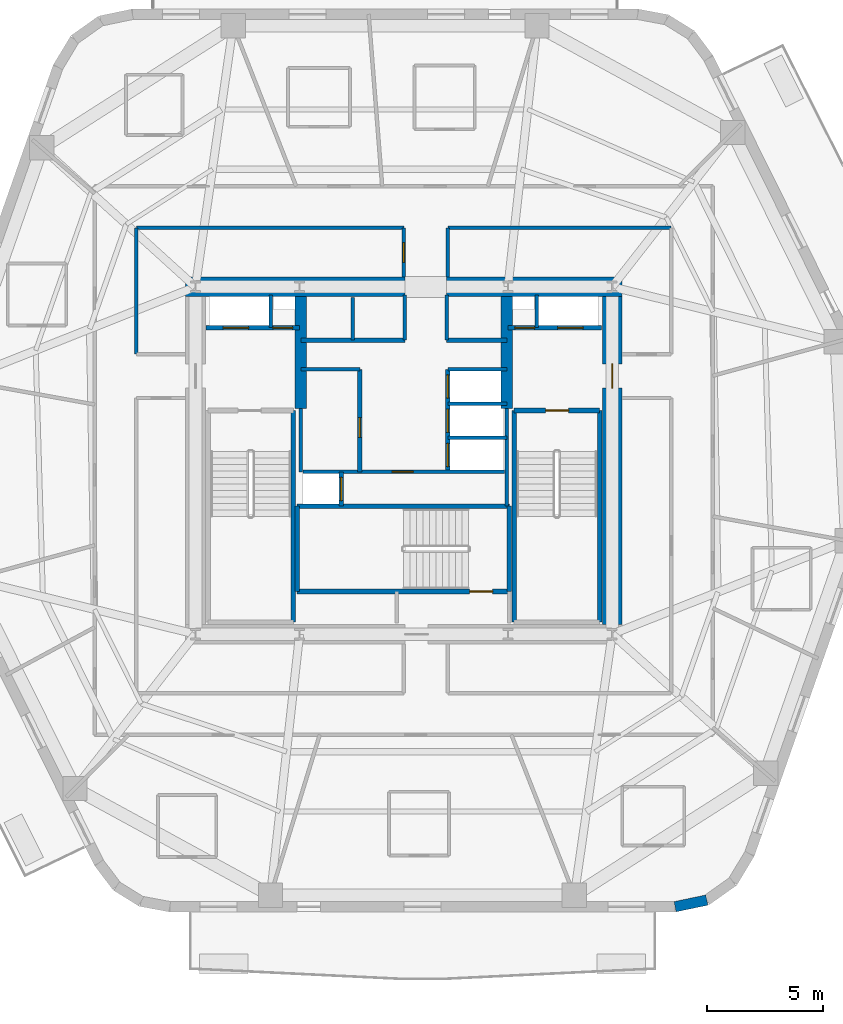
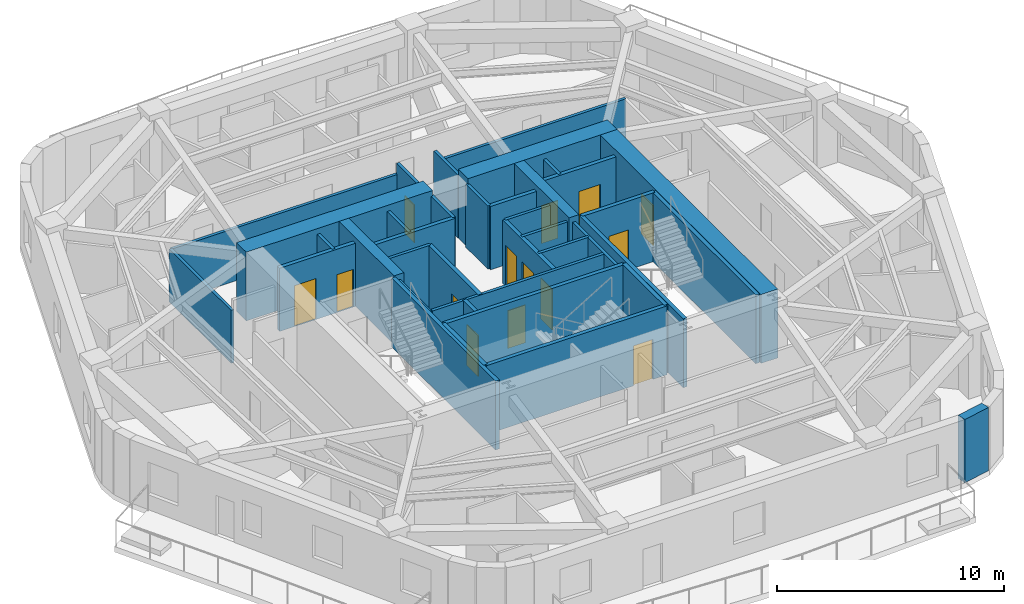
# One storey, part 4 of 10: 38 walls, 14 doors, 14 openings.
"""IFC4 building model written with IfcOpenShell, lengths in metres."""

from ifc_helpers import new_model, si_unit, direction, frame, frame_2d, origin, place, context, subcontext, project, spatial, rectangle, extrude, material, layer, layer_set, type_object, element, fill, save


model = new_model("IFC4")

# Units and contexts
model_context = context("Model", 3, precision=1e-05, world=origin(), true_north=direction((0.0, 1.0)))
body_context = subcontext(model_context, "Body", "Model", "MODEL_VIEW")
ifc_project = project(units=[si_unit("LENGTHUNIT", "METRE"), si_unit("AREAUNIT", "SQUARE_METRE"), si_unit("VOLUMEUNIT", "CUBIC_METRE"), si_unit("PLANEANGLEUNIT", "RADIAN"), si_unit("MASSUNIT", "GRAM", prefix="KILO")], contexts=[model_context])

# Site, building, storey
site_placement = place(None, origin())
site = spatial("IfcSite", under=ifc_project, at=site_placement, CompositionType="ELEMENT")
building_placement = place(site_placement, origin())
building = spatial("IfcBuilding", under=site, at=building_placement, Name="Kilnhurst Terrace Hotel", CompositionType="ELEMENT")
storey_placement = place(building_placement, frame((0.0, 0.0, 155.39990234375)))
storey = spatial("IfcBuildingStorey", under=building, at=storey_placement, Name="L38", CompositionType="ELEMENT", Elevation=155.39990234375)

# Walls
ifc_material_1 = material(Name="Precast concrete C40/50", Category="concrete")
ifc_layer_1 = layer(ifc_material_1, 0.449951171875, Name="Precast concrete C40/50")
ifc_layer_set_1 = layer_set([ifc_layer_1], Name="Precast concrete C40/50")
wall_type_1 = type_object("IfcWallType", Name="WL-BRK-450", PredefinedType="SOLIDWALL", material=ifc_layer_set_1)
wall_1_placement = place(storey_placement, frame((11.720458984375, -19.27490234375, 0.0), z_axis=(0.0, 0.0, 1.0), x_axis=(0.97893106758, 0.204191001093, 0.0)))
element("IfcWall", 1, at=wall_1_placement, inside=storey, type_object=wall_type_1, Name="L38 Rounded Corner Brick Wall C2.1", PredefinedType="SOLIDWALL", context=body_context, shape_type="SweptSolid", body=[
    extrude(rectangle(XDim=1.400146484375, YDim=0.449951171875, at=frame_2d((0.7001953125, 0.0))), origin(), (0.0, 0.0, 1.0), 3.400146484375),
])
ifc_material_2 = material(Name="Acoustic Double-Gypsum Corridor Partition Assembly")
ifc_layer_2 = layer(ifc_material_2, 0.14990234375, Name="Acoustic Double-Gypsum Corridor Partition Assembly")
ifc_layer_set_2 = layer_set([ifc_layer_2], Name="Acoustic Double-Gypsum Corridor Partition Assembly")
wall_type_2 = type_object("IfcWallType", Name="WL-COR-150", PredefinedType="PARTITIONING", material=ifc_layer_set_2)
wall_2_placement = place(storey_placement, frame((11.550048828125, 10.050048828125, 0.0), z_axis=(0.0, 0.0, 1.0), x_axis=(-1.0, 0.0, 0.0)))
element("IfcWall", 2, at=wall_2_placement, inside=storey, type_object=wall_type_2, Name="L38 Interior Wall WL-L38-COR-09", PredefinedType="PARTITIONING", context=body_context, shape_type="SweptSolid", body=[
    extrude(rectangle(XDim=9.650146484375, YDim=0.14990234375, at=frame_2d((4.8251953125, 0.0))), origin(), (0.0, 0.0, 1.0), 2.840087890625),
])
wall_3_placement = place(storey_placement, frame((1.89990234375, 10.050048828125, 0.0), z_axis=(0.0, 0.0, 1.0), x_axis=(0.0, -1.0, 0.0)))
element("IfcWall", 3, at=wall_3_placement, inside=storey, type_object=wall_type_2, Name="L38 Interior Wall WL-L38-COR-10", PredefinedType="PARTITIONING", context=body_context, shape_type="SweptSolid", body=[
    extrude(rectangle(XDim=2.125, YDim=0.14990234375, at=frame_2d((1.0625, 0.0))), origin(), (0.0, 0.0, 1.0), 3.400146484375),
])

# Wall, opening, door
wall_4_placement = place(storey_placement, frame((0.0, 7.925048828125, 0.0), z_axis=(0.0, 0.0, 1.0), x_axis=(0.0, 1.0, 0.0)))
wall_4 = element("IfcWall", 4, at=wall_4_placement, inside=storey, type_object=wall_type_2, Name="L38 Interior Wall WL-L38-COR-11", PredefinedType="PARTITIONING", context=body_context, shape_type="SweptSolid", body=[
    extrude(rectangle(XDim=2.125, YDim=0.14990234375, at=frame_2d((1.0625, 0.0))), origin(), (0.0, 0.0, 1.0), 3.400146484375),
])
opening_1_placement = place(wall_4_placement, frame((0.637939453125, 0.0, 0.0)))
opening_1 = element("IfcOpeningElement", 5, at=opening_1_placement, cuts=wall_4, Name="Opening D-60D", PredefinedType="OPENING", context=body_context, shape_type="SweptSolid", body=[
    extrude(rectangle(XDim=0.85009765625, YDim=2.030029296875, at=frame_2d((0.425048828125, 1.01513671875))), frame((0.0, 0.0849609375, 0.0), z_axis=(0.0, -1.0, 0.0), x_axis=(1.0, 0.0, 0.0)), (0.0, 0.0, 1.0), 0.169921875),
])
ifc_material_3 = material(Name="Painted Hollow Metal Steel ASTM A36 Riser Door", Category="steel")
door_type_1 = type_object("IfcDoorType", Name="DR-FD60-850", OperationType="NOTDEFINED", PredefinedType="DOOR", material=ifc_material_3)
door_1_placement = place(opening_1_placement, origin())
door_1 = element("IfcDoor", 6, at=door_1_placement, inside=storey, type_object=door_type_1, Name="L38 Floor Valet Equipment Store Door", OperationType="SINGLE_SWING_RIGHT", OverallHeight=2.030029296875, OverallWidth=0.85009765625, PredefinedType="DOOR", context=body_context, shape_type="SweptSolid", body=[
    extrude(rectangle(XDim=0.85009765625, YDim=2.030029296875, at=frame_2d((0.425048828125, 1.01513671875))), frame((0.0, 0.02490234375, 0.0), z_axis=(0.0, -1.0, 0.0), x_axis=(1.0, 0.0, 0.0)), (0.0, 0.0, 1.0), 0.050048828125),
])
fill(opening_1, door_1)

# Walls
wall_5_placement = place(storey_placement, frame((0.0, 10.050048828125, 0.0), z_axis=(0.0, 0.0, 1.0), x_axis=(-1.0, 0.0, 0.0)))
element("IfcWall", 7, at=wall_5_placement, inside=storey, type_object=wall_type_2, Name="L38 Interior Wall WL-L38-COR-12", PredefinedType="PARTITIONING", context=body_context, shape_type="SweptSolid", body=[
    extrude(rectangle(XDim=11.550048828125, YDim=0.14990234375, at=frame_2d((5.77490234375, 0.0))), origin(), (0.0, 0.0, 1.0), 2.840087890625),
])
wall_6_placement = place(storey_placement, frame((-11.550048828125, 10.050048828125, 0.0), z_axis=(0.0, 0.0, 1.0), x_axis=(0.0, -1.0, 0.0)))
element("IfcWall", 8, at=wall_6_placement, inside=storey, type_object=wall_type_2, Name="L38 Interior Wall WL-L38-COR-13", PredefinedType="PARTITIONING", context=body_context, shape_type="SweptSolid", body=[
    extrude(rectangle(XDim=5.449951171875, YDim=0.14990234375, at=frame_2d((2.72509765625, 0.0))), origin(), (0.0, 0.0, 1.0), 2.840087890625),
])
ifc_material_4 = material(Name="Concrete C80/95", Category="concrete")
ifc_layer_3 = layer(ifc_material_4, 0.85009765625, Name="Concrete C80/95")
ifc_layer_set_3 = layer_set([ifc_layer_3], Name="Concrete C80/95")
wall_type_3 = type_object("IfcWallType", Name="WL-CORE-850", PredefinedType="SHEAR", material=ifc_layer_set_3)
wall_7_placement = place(storey_placement, frame((-9.425048828125, 7.5, 0.0), z_axis=(0.0, 0.0, 1.0), x_axis=(1.0, 0.0, 0.0)))
element("IfcWall", 9, at=wall_7_placement, inside=storey, type_object=wall_type_3, Name="L38 Core North West Shear Wall", PredefinedType="SHEAR", context=body_context, shape_type="SweptSolid", body=[
    extrude(rectangle(XDim=9.47509765625, YDim=0.85009765625, at=frame_2d((4.737548828125, 0.0))), origin(), (0.0, 0.0, 1.0), 3.7001953125),
])
wall_8_placement = place(storey_placement, frame((1.85009765625, 7.5, 0.0), z_axis=(0.0, 0.0, 1.0), x_axis=(1.0, 0.0, 0.0)))
element("IfcWall", 10, at=wall_8_placement, inside=storey, type_object=wall_type_3, Name="L38 Core North East Shear Wall", PredefinedType="SHEAR", context=body_context, shape_type="SweptSolid", body=[
    extrude(rectangle(XDim=7.574951171875, YDim=0.85009765625, at=frame_2d((3.78759765625, 0.0))), origin(), (0.0, 0.0, 1.0), 3.7001953125),
])

# Wall, opening, door
wall_9_placement = place(storey_placement, frame((9.0, -7.074951171875, 0.0), z_axis=(0.0, 0.0, 1.0), x_axis=(0.0, 1.0, 0.0)))
wall_9 = element("IfcWall", 11, at=wall_9_placement, inside=storey, type_object=wall_type_3, Name="L38 Core East Shear Wall", PredefinedType="SHEAR", context=body_context, shape_type="SweptSolid", body=[
    extrude(rectangle(XDim=14.14990234375, YDim=0.85009765625, at=frame_2d((7.074951171875, 0.0))), origin(), (0.0, 0.0, 1.0), 3.7001953125),
])
opening_2_placement = place(wall_9_placement, frame((10.199951171875, 0.0, 0.0)))
opening_2 = element("IfcOpeningElement", 12, at=opening_2_placement, cuts=wall_9, Name="Opening D-90A", PredefinedType="OPENING", context=body_context, shape_type="SweptSolid", body=[
    extrude(rectangle(XDim=1.050048828125, YDim=2.14990234375, at=frame_2d((0.52490234375, 1.074951171875))), frame((0.0, 0.43505859375, 0.0), z_axis=(0.0, -1.0, 0.0), x_axis=(1.0, 0.0, 0.0)), (0.0, 0.0, 1.0), 0.8701171875),
])
ifc_material_5 = material(Name="Painted Hollow Metal Steel ASTM A36 Fire Door", Category="steel")
door_type_2 = type_object("IfcDoorType", Name="DR-FD90-1050", OperationType="NOTDEFINED", PredefinedType="DOOR", material=ifc_material_5)
door_2_placement = place(opening_2_placement, origin())
door_2 = element("IfcDoor", 13, at=door_2_placement, inside=storey, type_object=door_type_2, Name="L38 East Firefighting Lobby Door", OperationType="SINGLE_SWING_LEFT", OverallHeight=2.14990234375, OverallWidth=1.050048828125, PredefinedType="DOOR", context=body_context, shape_type="SweptSolid", body=[
    extrude(rectangle(XDim=1.050048828125, YDim=2.14990234375, at=frame_2d((0.52490234375, 1.074951171875))), frame((0.0, 0.02490234375, 0.0), z_axis=(0.0, -1.0, 0.0), x_axis=(1.0, 0.0, 0.0)), (0.0, 0.0, 1.0), 0.050048828125),
])
fill(opening_2, door_2)

# Walls
ifc_material_6 = material(Name="Concrete C60/75", Category="concrete")
ifc_layer_4 = layer(ifc_material_6, 0.5, Name="Concrete C60/75")
ifc_layer_set_4 = layer_set([ifc_layer_4], Name="Concrete C60/75")
wall_type_4 = type_object("IfcWallType", Name="WL-CORE-WEB-500", PredefinedType="SHEAR", material=ifc_layer_set_4)
for number, where, z_axis, x_axis, name in (
    (14, (-4.449951171875, 2.25, 0.0), (0.0, 0.0, 1.0), (0.0, 1.0, 0.0), "L38 Core Internal West Shear Web"),
    (15, (4.449951171875, 2.25, 0.0), (0.0, 0.0, 1.0), (0.0, 1.0, 0.0), "L38 Core Internal East Shear Web"),
):
    element("IfcWall", number, at=place(storey_placement, frame(where, z_axis=z_axis, x_axis=x_axis)), inside=storey, type_object=wall_type_4, Name=name, PredefinedType="SHEAR", context=body_context, shape_type="SweptSolid", body=[
        extrude(rectangle(XDim=4.824951171875, YDim=0.5, at=frame_2d((2.41259765625, 0.0))), origin(), (0.0, 0.0, 1.0), 3.7001953125),
    ])
ifc_material_7 = material(Name="Fire-Rated Gypsum Shaftliner Assembly")
ifc_layer_5 = layer(ifc_material_7, 0.14990234375, Name="Fire-Rated Gypsum Shaftliner Assembly")
ifc_layer_set_5 = layer_set([ifc_layer_5], Name="Fire-Rated Gypsum Shaftliner Assembly")
wall_type_5 = type_object("IfcWallType", Name="WL-SHAFT-150", PredefinedType="PARTITIONING", material=ifc_layer_set_5)
for number, where, z_axis, x_axis, name in (
    (16, (-5.75, 5.739990234375, 0.0), (0.0, 0.0, 1.0), (0.0, 1.0, 0.0), "L38 Interior Wall WL-L38-RIS1-DIV"),
    (17, (5.75, 5.739990234375, 0.0), (0.0, 0.0, 1.0), (0.0, 1.0, 0.0), "L38 Interior Wall WL-L38-RIS2-DIV"),
):
    element("IfcWall", number, at=place(storey_placement, frame(where, z_axis=z_axis, x_axis=x_axis)), inside=storey, type_object=wall_type_5, Name=name, PredefinedType="PARTITIONING", context=body_context, shape_type="SweptSolid", body=[
        extrude(rectangle(XDim=1.409912109375, YDim=0.14990234375, at=frame_2d((0.705078125, 0.0))), origin(), (0.0, 0.0, 1.0), 3.400146484375),
    ])
wall_10_placement = place(storey_placement, frame((-2.199951171875, 5.199951171875, 0.0), z_axis=(0.0, 0.0, 1.0), x_axis=(0.0, 1.0, 0.0)))
element("IfcWall", 18, at=wall_10_placement, inside=storey, type_object=wall_type_5, Name="L38 Interior Wall WL-L38-HR-DIV1", PredefinedType="PARTITIONING", context=body_context, shape_type="SweptSolid", body=[
    extrude(rectangle(XDim=1.85009765625, YDim=0.14990234375, at=frame_2d((0.925048828125, 0.0))), origin(), (0.0, 0.0, 1.0), 3.400146484375),
])
for number, where, z_axis, x_axis, name in (
    (19, (0.050048828125, 5.199951171875, 0.0), (0.0, 0.0, 1.0), (0.0, 1.0, 0.0), "L38 Interior Wall WL-L38-HR-PORTAL-W"),
    (20, (1.85009765625, 5.199951171875, 0.0), (0.0, 0.0, 1.0), (0.0, 1.0, 0.0), "L38 Interior Wall WL-L38-HR-PORTAL-E"),
):
    element("IfcWall", number, at=place(storey_placement, frame(where, z_axis=z_axis, x_axis=x_axis)), inside=storey, type_object=wall_type_5, Name=name, PredefinedType="PARTITIONING", context=body_context, shape_type="SweptSolid", body=[
        extrude(rectangle(XDim=1.949951171875, YDim=0.14990234375, at=frame_2d((0.97509765625, 0.0))), origin(), (0.0, 0.0, 1.0), 3.400146484375),
    ])
wall_11_placement = place(storey_placement, frame((-4.449951171875, -0.5, 0.0), z_axis=(0.0, 0.0, 1.0), x_axis=(0.0, 1.0, 0.0)))
element("IfcWall", 21, at=wall_11_placement, inside=storey, type_object=wall_type_5, Name="L38 Interior Wall WL-L38-XLOB-W", PredefinedType="PARTITIONING", context=body_context, shape_type="SweptSolid", body=[
    extrude(rectangle(XDim=2.75, YDim=0.14990234375, at=frame_2d((1.375, 0.0))), origin(), (0.0, 0.0, 1.0), 3.400146484375),
])
wall_12_placement = place(storey_placement, frame((4.449951171875, -1.971923828125, 0.0), z_axis=(0.0, 0.0, 1.0), x_axis=(0.0, 1.0, 0.0)))
element("IfcWall", 22, at=wall_12_placement, inside=storey, type_object=wall_type_5, Name="L38 Interior Wall WL-L38-XLOB-E", PredefinedType="PARTITIONING", context=body_context, shape_type="SweptSolid", body=[
    extrude(rectangle(XDim=4.221923828125, YDim=0.14990234375, at=frame_2d((2.11083984375, 0.0))), origin(), (0.0, 0.0, 1.0), 3.400146484375),
])
for number, where, z_axis, x_axis, name in (
    (23, (-4.449951171875, 3.93994140625, 0.0), (0.0, 0.0, 1.0), (1.0, 0.0, 0.0), "L38 Interior Wall WL-L38-LR-NORTH"),
    (24, (1.89990234375, 3.93994140625, 0.0), (0.0, 0.0, 1.0), (1.0, 0.0, 0.0), "L38 Interior Wall WL-L38-MR-NORTH"),
    (25, (1.89990234375, 0.97998046875, 0.0), (0.0, 0.0, 1.0), (1.0, 0.0, 0.0), "L38 Interior Wall WL-L38-MR-D1"),
    (26, (1.89990234375, 2.4599609375, 0.0), (0.0, 0.0, 1.0), (1.0, 0.0, 0.0), "L38 Interior Wall WL-L38-MR-D2"),
):
    element("IfcWall", number, at=place(storey_placement, frame(where, z_axis=z_axis, x_axis=x_axis)), inside=storey, type_object=wall_type_5, Name=name, PredefinedType="PARTITIONING", context=body_context, shape_type="SweptSolid", body=[
        extrude(rectangle(XDim=2.550048828125, YDim=0.14990234375, at=frame_2d((1.27490234375, 0.0))), origin(), (0.0, 0.0, 1.0), 3.400146484375),
    ])

# Wall, opening, door
wall_13_placement = place(storey_placement, frame((-4.360107421875, -0.489990234375, 0.0), z_axis=(0.0, 0.0, 1.0), x_axis=(1.0, 0.0, 0.0)))
wall_13 = element("IfcWall", 27, at=wall_13_placement, inside=storey, type_object=wall_type_5, Name="L38 Interior Wall WL-L38-BOH-N", PredefinedType="PARTITIONING", context=body_context, shape_type="SweptSolid", body=[
    extrude(rectangle(XDim=8.72021484375, YDim=0.14990234375, at=frame_2d((4.360107421875, 0.0))), origin(), (0.0, 0.0, 1.0), 3.400146484375),
])
opening_3_placement = place(wall_13_placement, frame((3.860107421875, 0.0, 0.0)))
opening_3 = element("IfcOpeningElement", 28, at=opening_3_placement, cuts=wall_13, Name="Opening D-60C", PredefinedType="OPENING", context=body_context, shape_type="SweptSolid", body=[
    extrude(rectangle(XDim=0.89990234375, YDim=2.030029296875, at=frame_2d((0.449951171875, 1.01513671875))), frame((0.0, 0.0849609375, 0.0), z_axis=(0.0, -1.0, 0.0), x_axis=(1.0, 0.0, 0.0)), (0.0, 0.0, 1.0), 0.169921875),
])
ifc_material_8 = material(Name="Painted Solid-Core Service Fire Door")
door_type_3 = type_object("IfcDoorType", Name="DR-FD60-900", OperationType="NOTDEFINED", PredefinedType="DOOR", material=ifc_material_8)
door_3_placement = place(opening_3_placement, origin())
door_3 = element("IfcDoor", 29, at=door_3_placement, inside=storey, type_object=door_type_3, Name="L38 Housekeeping Laundry Door", OperationType="SINGLE_SWING_LEFT", OverallHeight=2.030029296875, OverallWidth=0.89990234375, PredefinedType="DOOR", context=body_context, shape_type="SweptSolid", body=[
    extrude(rectangle(XDim=0.89990234375, YDim=2.030029296875, at=frame_2d((0.449951171875, 1.01513671875))), frame((0.0, 0.02490234375, 0.0), z_axis=(0.0, -1.0, 0.0), x_axis=(1.0, 0.0, 0.0)), (0.0, 0.0, 1.0), 0.050048828125),
])
fill(opening_3, door_3)

# Wall, openings, doors
ifc_material_9 = material(Name="Autoclaved Aerated Concrete C30/37 and Gypsum Shaft Assembly", Category="concrete")
ifc_layer_6 = layer(ifc_material_9, 0.199951171875, Name="Autoclaved Aerated Concrete C30/37 and Gypsum Shaft Assembly")
ifc_layer_set_6 = layer_set([ifc_layer_6], Name="Autoclaved Aerated Concrete C30/37 and Gypsum Shaft Assembly")
wall_type_6 = type_object("IfcWallType", Name="WL-SHAFT-200", PredefinedType="PARTITIONING", material=ifc_layer_set_6)
wall_14_placement = place(storey_placement, frame((-8.550048828125, 5.739990234375, 0.0), z_axis=(0.0, 0.0, 1.0), x_axis=(1.0, 0.0, 0.0)))
wall_14 = element("IfcWall", 30, at=wall_14_placement, inside=storey, type_object=wall_type_6, Name="L38 Interior Wall WL-L38-FSAE1-S", PredefinedType="PARTITIONING", context=body_context, shape_type="SweptSolid", body=[
    extrude(rectangle(XDim=4.050048828125, YDim=0.199951171875, at=frame_2d((2.02490234375, 0.0))), origin(), (0.0, 0.0, 1.0), 3.400146484375),
])
opening_4_placement = place(wall_14_placement, frame((0.75, 0.0, 0.0)))
opening_4 = element("IfcOpeningElement", 31, at=opening_4_placement, cuts=wall_14, Name="Opening LD-F1", PredefinedType="OPENING", context=body_context, shape_type="SweptSolid", body=[
    extrude(rectangle(XDim=1.10009765625, YDim=2.199951171875, at=frame_2d((0.550048828125, 1.10009765625))), frame((0.0, 0.10986328125, 0.0), z_axis=(0.0, -1.0, 0.0), x_axis=(1.0, 0.0, 0.0)), (0.0, 0.0, 1.0), 0.219970703125),
])
opening_5_placement = place(wall_14_placement, frame((2.89990234375, 0.0, 0.0)))
opening_5 = element("IfcOpeningElement", 32, at=opening_5_placement, cuts=wall_14, Name="Opening D-60D", PredefinedType="OPENING", context=body_context, shape_type="SweptSolid", body=[
    extrude(rectangle(XDim=0.85009765625, YDim=2.030029296875, at=frame_2d((0.425048828125, 1.01513671875))), frame((0.0, 0.10986328125, 0.0), z_axis=(0.0, -1.0, 0.0), x_axis=(1.0, 0.0, 0.0)), (0.0, 0.0, 1.0), 0.219970703125),
])
door_4_placement = place(opening_5_placement, origin())
door_4 = element("IfcDoor", 33, at=door_4_placement, inside=storey, type_object=door_type_1, Name="L38 Electrical Riser Door", OperationType="SINGLE_SWING_LEFT", OverallHeight=2.030029296875, OverallWidth=0.85009765625, PredefinedType="DOOR", context=body_context, shape_type="SweptSolid", body=[
    extrude(rectangle(XDim=0.85009765625, YDim=2.030029296875, at=frame_2d((0.425048828125, 1.01513671875))), frame((0.0, 0.02490234375, 0.0), z_axis=(0.0, -1.0, 0.0), x_axis=(1.0, 0.0, 0.0)), (0.0, 0.0, 1.0), 0.050048828125),
])
fill(opening_5, door_4)
ifc_material_10 = material(Name="Bronze-Anodized Stainless Steel AISI 316L Sliding Door", Category="steel")
door_type_4 = type_object("IfcDoorType", Name="DR-LIFT-1100", OperationType="NOTDEFINED", PredefinedType="DOOR", material=ifc_material_10)
door_5_placement = place(opening_4_placement, origin())
door_5 = element("IfcDoor", 34, at=door_5_placement, inside=storey, type_object=door_type_4, Name="L38 FSAE-1 Landing Door", OperationType="SLIDING_TO_LEFT", OverallHeight=2.199951171875, OverallWidth=1.10009765625, PredefinedType="DOOR", context=body_context, shape_type="SweptSolid", body=[
    extrude(rectangle(XDim=1.10009765625, YDim=2.199951171875, at=frame_2d((0.550048828125, 1.10009765625))), frame((0.0, 0.02490234375, 0.0), z_axis=(0.0, -1.0, 0.0), x_axis=(1.0, 0.0, 0.0)), (0.0, 0.0, 1.0), 0.050048828125),
])
fill(opening_4, door_5)

wall_15_placement = place(storey_placement, frame((4.5, 5.739990234375, 0.0), z_axis=(0.0, 0.0, 1.0), x_axis=(1.0, 0.0, 0.0)))
wall_15 = element("IfcWall", 35, at=wall_15_placement, inside=storey, type_object=wall_type_6, Name="L38 Interior Wall WL-L38-FSAE2-S", PredefinedType="PARTITIONING", context=body_context, shape_type="SweptSolid", body=[
    extrude(rectangle(XDim=4.050048828125, YDim=0.199951171875, at=frame_2d((2.02490234375, 0.0))), origin(), (0.0, 0.0, 1.0), 3.400146484375),
])
opening_6_placement = place(wall_15_placement, frame((0.300048828125, 0.0, 0.0)))
opening_6 = element("IfcOpeningElement", 36, at=opening_6_placement, cuts=wall_15, Name="Opening D-60D", PredefinedType="OPENING", context=body_context, shape_type="SweptSolid", body=[
    extrude(rectangle(XDim=0.85009765625, YDim=2.030029296875, at=frame_2d((0.425048828125, 1.01513671875))), frame((0.0, 0.10986328125, 0.0), z_axis=(0.0, -1.0, 0.0), x_axis=(1.0, 0.0, 0.0)), (0.0, 0.0, 1.0), 0.219970703125),
])
opening_7_placement = place(wall_15_placement, frame((2.14990234375, 0.0, 0.0)))
opening_7 = element("IfcOpeningElement", 37, at=opening_7_placement, cuts=wall_15, Name="Opening LD-F2", PredefinedType="OPENING", context=body_context, shape_type="SweptSolid", body=[
    extrude(rectangle(XDim=1.10009765625, YDim=2.199951171875, at=frame_2d((0.550048828125, 1.10009765625))), frame((0.0, 0.10986328125, 0.0), z_axis=(0.0, -1.0, 0.0), x_axis=(1.0, 0.0, 0.0)), (0.0, 0.0, 1.0), 0.219970703125),
])
door_6_placement = place(opening_6_placement, origin())
door_6 = element("IfcDoor", 38, at=door_6_placement, inside=storey, type_object=door_type_1, Name="L38 Telecom Riser Door", OperationType="SINGLE_SWING_RIGHT", OverallHeight=2.030029296875, OverallWidth=0.85009765625, PredefinedType="DOOR", context=body_context, shape_type="SweptSolid", body=[
    extrude(rectangle(XDim=0.85009765625, YDim=2.030029296875, at=frame_2d((0.425048828125, 1.01513671875))), frame((0.0, 0.02490234375, 0.0), z_axis=(0.0, -1.0, 0.0), x_axis=(1.0, 0.0, 0.0)), (0.0, 0.0, 1.0), 0.050048828125),
])
fill(opening_6, door_6)
door_7_placement = place(opening_7_placement, origin())
door_7 = element("IfcDoor", 39, at=door_7_placement, inside=storey, type_object=door_type_4, Name="L38 FSAE-2 Landing Door", OperationType="SLIDING_TO_RIGHT", OverallHeight=2.199951171875, OverallWidth=1.10009765625, PredefinedType="DOOR", context=body_context, shape_type="SweptSolid", body=[
    extrude(rectangle(XDim=1.10009765625, YDim=2.199951171875, at=frame_2d((0.550048828125, 1.10009765625))), frame((0.0, 0.02490234375, 0.0), z_axis=(0.0, -1.0, 0.0), x_axis=(1.0, 0.0, 0.0)), (0.0, 0.0, 1.0), 0.050048828125),
])
fill(opening_7, door_7)

# Wall, opening, door
wall_16_placement = place(storey_placement, frame((-2.699951171875, -1.971923828125, 0.0), z_axis=(0.0, 0.0, 1.0), x_axis=(0.0, 1.0, 0.0)))
wall_16 = element("IfcWall", 40, at=wall_16_placement, inside=storey, type_object=wall_type_6, Name="L38 Interior Wall WL-L38-SRV1-E", PredefinedType="PARTITIONING", context=body_context, shape_type="SweptSolid", body=[
    extrude(rectangle(XDim=1.471923828125, YDim=0.199951171875, at=frame_2d((0.73583984375, 0.0))), origin(), (0.0, 0.0, 1.0), 3.400146484375),
])
opening_8_placement = place(wall_16_placement, frame((0.239990234375, 0.0, 0.0)))
opening_8 = element("IfcOpeningElement", 41, at=opening_8_placement, cuts=wall_16, Name="Opening LD-SV", PredefinedType="OPENING", context=body_context, shape_type="SweptSolid", body=[
    extrude(rectangle(XDim=1.0, YDim=2.199951171875, at=frame_2d((0.5, 1.10009765625))), frame((0.0, 0.10986328125, 0.0), z_axis=(0.0, -1.0, 0.0), x_axis=(1.0, 0.0, 0.0)), (0.0, 0.0, 1.0), 0.219970703125),
])
door_type_5 = type_object("IfcDoorType", Name="DR-LIFT-1000", OperationType="NOTDEFINED", PredefinedType="DOOR", material=ifc_material_10)
door_8_placement = place(opening_8_placement, origin())
door_8 = element("IfcDoor", 42, at=door_8_placement, inside=storey, type_object=door_type_5, Name="L38 Service Lift SRV-1 Landing Door", OperationType="SLIDING_TO_LEFT", OverallHeight=2.199951171875, OverallWidth=1.0, PredefinedType="DOOR", context=body_context, shape_type="SweptSolid", body=[
    extrude(rectangle(XDim=1.0, YDim=2.199951171875, at=frame_2d((0.5, 1.10009765625))), frame((0.0, 0.02490234375, 0.0), z_axis=(0.0, -1.0, 0.0), x_axis=(1.0, 0.0, 0.0)), (0.0, 0.0, 1.0), 0.050048828125),
])
fill(opening_8, door_8)

# Walls
wall_17_placement = place(storey_placement, frame((-4.449951171875, 5.199951171875, 0.0), z_axis=(0.0, 0.0, 1.0), x_axis=(1.0, 0.0, 0.0)))
element("IfcWall", 43, at=wall_17_placement, inside=storey, type_object=wall_type_6, Name="L38 Interior Wall WL-L38-HR-SW", PredefinedType="PARTITIONING", context=body_context, shape_type="SweptSolid", body=[
    extrude(rectangle(XDim=4.5, YDim=0.199951171875, at=frame_2d((2.25, 0.0))), origin(), (0.0, 0.0, 1.0), 3.400146484375),
])
wall_18_placement = place(storey_placement, frame((1.85009765625, 5.199951171875, 0.0), z_axis=(0.0, 0.0, 1.0), x_axis=(1.0, 0.0, 0.0)))
element("IfcWall", 44, at=wall_18_placement, inside=storey, type_object=wall_type_6, Name="L38 Interior Wall WL-L38-HR-SE", PredefinedType="PARTITIONING", context=body_context, shape_type="SweptSolid", body=[
    extrude(rectangle(XDim=2.599853515625, YDim=0.199951171875, at=frame_2d((1.2998046875, 0.0))), origin(), (0.0, 0.0, 1.0), 3.400146484375),
])

# Wall, opening, door
wall_19_placement = place(storey_placement, frame((-1.89990234375, -0.5, 0.0), z_axis=(0.0, 0.0, 1.0), x_axis=(0.0, 1.0, 0.0)))
wall_19 = element("IfcWall", 45, at=wall_19_placement, inside=storey, type_object=wall_type_6, Name="L38 Interior Wall WL-L38-LR-FRONT", PredefinedType="PARTITIONING", context=body_context, shape_type="SweptSolid", body=[
    extrude(rectangle(XDim=4.43994140625, YDim=0.199951171875, at=frame_2d((2.219970703125, 0.0))), origin(), (0.0, 0.0, 1.0), 3.400146484375),
])
opening_9_placement = place(wall_19_placement, frame((1.5, 0.0, 0.0)))
opening_9 = element("IfcOpeningElement", 46, at=opening_9_placement, cuts=wall_19, Name="Opening D-60D", PredefinedType="OPENING", context=body_context, shape_type="SweptSolid", body=[
    extrude(rectangle(XDim=0.85009765625, YDim=2.030029296875, at=frame_2d((0.425048828125, 1.01513671875))), frame((0.0, 0.10986328125, 0.0), z_axis=(0.0, -1.0, 0.0), x_axis=(1.0, 0.0, 0.0)), (0.0, 0.0, 1.0), 0.219970703125),
])
door_9_placement = place(opening_9_placement, origin())
door_9 = element("IfcDoor", 47, at=door_9_placement, inside=storey, type_object=door_type_1, Name="L38 Reclaimed Linen Room Door", OperationType="SINGLE_SWING_LEFT", OverallHeight=2.030029296875, OverallWidth=0.85009765625, PredefinedType="DOOR", context=body_context, shape_type="SweptSolid", body=[
    extrude(rectangle(XDim=0.85009765625, YDim=2.030029296875, at=frame_2d((0.425048828125, 1.01513671875))), frame((0.0, 0.02490234375, 0.0), z_axis=(0.0, -1.0, 0.0), x_axis=(1.0, 0.0, 0.0)), (0.0, 0.0, 1.0), 0.050048828125),
])
fill(opening_9, door_9)

# Wall, openings, doors
wall_20_placement = place(storey_placement, frame((1.89990234375, -0.5, 0.0), z_axis=(0.0, 0.0, 1.0), x_axis=(0.0, 1.0, 0.0)))
wall_20 = element("IfcWall", 48, at=wall_20_placement, inside=storey, type_object=wall_type_6, Name="L38 Interior Wall WL-L38-MR-FRONT", PredefinedType="PARTITIONING", context=body_context, shape_type="SweptSolid", body=[
    extrude(rectangle(XDim=4.43994140625, YDim=0.199951171875, at=frame_2d((2.219970703125, 0.0))), origin(), (0.0, 0.0, 1.0), 3.400146484375),
])
opening_10_placement = place(wall_20_placement, frame((0.239990234375, 0.0, 0.0)))
opening_10 = element("IfcOpeningElement", 49, at=opening_10_placement, cuts=wall_20, Name="Opening LD-MR", PredefinedType="OPENING", context=body_context, shape_type="SweptSolid", body=[
    extrude(rectangle(XDim=1.0, YDim=2.199951171875, at=frame_2d((0.5, 1.10009765625))), frame((0.0, 0.10986328125, 0.0), z_axis=(0.0, -1.0, 0.0), x_axis=(1.0, 0.0, 0.0)), (0.0, 0.0, 1.0), 0.219970703125),
])
opening_11_placement = place(wall_20_placement, frame((1.719970703125, 0.0, 0.0)))
opening_11 = element("IfcOpeningElement", 50, at=opening_11_placement, cuts=wall_20, Name="Opening LD-MR", PredefinedType="OPENING", context=body_context, shape_type="SweptSolid", body=[
    extrude(rectangle(XDim=1.0, YDim=2.199951171875, at=frame_2d((0.5, 1.10009765625))), frame((0.0, 0.10986328125, 0.0), z_axis=(0.0, -1.0, 0.0), x_axis=(1.0, 0.0, 0.0)), (0.0, 0.0, 1.0), 0.219970703125),
])
opening_12_placement = place(wall_20_placement, frame((3.199951171875, 0.0, 0.0)))
opening_12 = element("IfcOpeningElement", 51, at=opening_12_placement, cuts=wall_20, Name="Opening LD-MR", PredefinedType="OPENING", context=body_context, shape_type="SweptSolid", body=[
    extrude(rectangle(XDim=1.0, YDim=2.199951171875, at=frame_2d((0.5, 1.10009765625))), frame((0.0, 0.10986328125, 0.0), z_axis=(0.0, -1.0, 0.0), x_axis=(1.0, 0.0, 0.0)), (0.0, 0.0, 1.0), 0.219970703125),
])
door_10_placement = place(opening_10_placement, origin())
door_10 = element("IfcDoor", 52, at=door_10_placement, inside=storey, type_object=door_type_5, Name="L38 Mid Rise Lift MR-1 Landing Door", OperationType="SLIDING_TO_RIGHT", OverallHeight=2.199951171875, OverallWidth=1.0, PredefinedType="DOOR", context=body_context, shape_type="SweptSolid", body=[
    extrude(rectangle(XDim=1.0, YDim=2.199951171875, at=frame_2d((0.5, 1.10009765625))), frame((0.0, 0.02490234375, 0.0), z_axis=(0.0, -1.0, 0.0), x_axis=(1.0, 0.0, 0.0)), (0.0, 0.0, 1.0), 0.050048828125),
])
fill(opening_10, door_10)
door_11_placement = place(opening_11_placement, origin())
door_11 = element("IfcDoor", 53, at=door_11_placement, inside=storey, type_object=door_type_5, Name="L38 Mid Rise Lift MR-2 Landing Door", OperationType="SLIDING_TO_RIGHT", OverallHeight=2.199951171875, OverallWidth=1.0, PredefinedType="DOOR", context=body_context, shape_type="SweptSolid", body=[
    extrude(rectangle(XDim=1.0, YDim=2.199951171875, at=frame_2d((0.5, 1.10009765625))), frame((0.0, 0.02490234375, 0.0), z_axis=(0.0, -1.0, 0.0), x_axis=(1.0, 0.0, 0.0)), (0.0, 0.0, 1.0), 0.050048828125),
])
fill(opening_11, door_11)
door_12_placement = place(opening_12_placement, origin())
door_12 = element("IfcDoor", 54, at=door_12_placement, inside=storey, type_object=door_type_5, Name="L38 Mid Rise Lift MR-3 Landing Door", OperationType="SLIDING_TO_RIGHT", OverallHeight=2.199951171875, OverallWidth=1.0, PredefinedType="DOOR", context=body_context, shape_type="SweptSolid", body=[
    extrude(rectangle(XDim=1.0, YDim=2.199951171875, at=frame_2d((0.5, 1.10009765625))), frame((0.0, 0.02490234375, 0.0), z_axis=(0.0, -1.0, 0.0), x_axis=(1.0, 0.0, 0.0)), (0.0, 0.0, 1.0), 0.050048828125),
])
fill(opening_12, door_12)

# Walls
ifc_material_11 = material(Name="Concrete C50/60", Category="concrete")
ifc_layer_7 = layer(ifc_material_11, 0.199951171875, Name="Concrete C50/60")
ifc_layer_set_7 = layer_set([ifc_layer_7], Name="Concrete C50/60")
wall_type_7 = type_object("IfcWallType", Name="WL-STAIR-RC-200", PredefinedType="SHEAR", material=ifc_layer_set_7)
for number, where, z_axis, x_axis, name in (
    (55, (-4.77197265625, -6.985107421875, 0.0), (0.0, 0.0, 1.0), (0.0, 1.0, 0.0), "L38 Structural Stair Shaft Wall WL-L38-ST1-E"),
    (56, (4.77197265625, -6.985107421875, 0.0), (0.0, 0.0, 1.0), (0.0, 1.0, 0.0), "L38 Structural Stair Shaft Wall WL-L38-ST2-W"),
    (57, (8.4580078125, -6.985107421875, 0.0), (0.0, 0.0, 1.0), (0.0, 1.0, 0.0), "L38 Structural Stair Shaft Wall WL-L38-ST2-E"),
):
    element("IfcWall", number, at=place(storey_placement, frame(where, z_axis=z_axis, x_axis=x_axis)), inside=storey, type_object=wall_type_7, Name=name, PredefinedType="SHEAR", context=body_context, shape_type="SweptSolid", body=[
        extrude(rectangle(XDim=9.14306640625, YDim=0.199951171875, at=frame_2d((4.571533203125, 0.0))), origin(), (0.0, 0.0, 1.0), 3.7001953125),
    ])

# Wall, opening, door
wall_21_placement = place(storey_placement, frame((4.77197265625, 2.157958984375, 0.0), z_axis=(0.0, 0.0, 1.0), x_axis=(1.0, 0.0, 0.0)))
wall_21 = element("IfcWall", 58, at=wall_21_placement, inside=storey, type_object=wall_type_7, Name="L38 Structural Stair Shaft Wall WL-L38-ST2-N", PredefinedType="SHEAR", context=body_context, shape_type="SweptSolid", body=[
    extrude(rectangle(XDim=3.68603515625, YDim=0.199951171875, at=frame_2d((1.843017578125, 0.0))), origin(), (0.0, 0.0, 1.0), 3.7001953125),
])
opening_13_placement = place(wall_21_placement, frame((1.35009765625, 0.0, 0.0)))
opening_13 = element("IfcOpeningElement", 59, at=opening_13_placement, cuts=wall_21, Name="Opening D-90B", PredefinedType="OPENING", context=body_context, shape_type="SweptSolid", body=[
    extrude(rectangle(XDim=1.0, YDim=2.14990234375, at=frame_2d((0.5, 1.074951171875))), frame((0.0, 0.10986328125, 0.0), z_axis=(0.0, -1.0, 0.0), x_axis=(1.0, 0.0, 0.0)), (0.0, 0.0, 1.0), 0.219970703125),
])
door_type_6 = type_object("IfcDoorType", Name="DR-FD90-1000", OperationType="NOTDEFINED", PredefinedType="DOOR", material=ifc_material_5)
door_13_placement = place(opening_13_placement, origin())
door_13 = element("IfcDoor", 60, at=door_13_placement, inside=storey, type_object=door_type_6, Name="L38 Stair ST-2 Door", OperationType="SINGLE_SWING_RIGHT", OverallHeight=2.14990234375, OverallWidth=1.0, PredefinedType="DOOR", context=body_context, shape_type="SweptSolid", body=[
    extrude(rectangle(XDim=1.0, YDim=2.14990234375, at=frame_2d((0.5, 1.074951171875))), frame((0.0, 0.02490234375, 0.0), z_axis=(0.0, -1.0, 0.0), x_axis=(1.0, 0.0, 0.0)), (0.0, 0.0, 1.0), 0.050048828125),
])
fill(opening_13, door_13)

# Wall
wall_22_placement = place(storey_placement, frame((-4.60791015625, -5.657958984375, 0.0), z_axis=(0.0, 0.0, 1.0), x_axis=(0.0, 1.0, 0.0)))
element("IfcWall", 61, at=wall_22_placement, inside=storey, type_object=wall_type_7, Name="L38 Structural Stair Shaft Wall WL-L38-ST3-W", PredefinedType="SHEAR", context=body_context, shape_type="SweptSolid", body=[
    extrude(rectangle(XDim=3.68603515625, YDim=0.199951171875, at=frame_2d((1.843017578125, 0.0))), origin(), (0.0, 0.0, 1.0), 3.7001953125),
])

# Wall, opening, door
wall_23_placement = place(storey_placement, frame((-4.60791015625, -5.657958984375, 0.0), z_axis=(0.0, 0.0, 1.0), x_axis=(1.0, 0.0, 0.0)))
wall_23 = element("IfcWall", 62, at=wall_23_placement, inside=storey, type_object=wall_type_7, Name="L38 Structural Stair Shaft Wall WL-L38-ST3-S", PredefinedType="SHEAR", context=body_context, shape_type="SweptSolid", body=[
    extrude(rectangle(XDim=9.166015625, YDim=0.199951171875, at=frame_2d((4.5830078125, 0.0))), origin(), (0.0, 0.0, 1.0), 3.7001953125),
])
opening_14_placement = place(wall_23_placement, frame((7.449951171875, 0.0, 0.0)))
opening_14 = element("IfcOpeningElement", 63, at=opening_14_placement, cuts=wall_23, Name="Opening D-90B", PredefinedType="OPENING", context=body_context, shape_type="SweptSolid", body=[
    extrude(rectangle(XDim=1.0, YDim=2.14990234375, at=frame_2d((0.5, 1.074951171875))), frame((0.0, 0.10986328125, 0.0), z_axis=(0.0, -1.0, 0.0), x_axis=(1.0, 0.0, 0.0)), (0.0, 0.0, 1.0), 0.219970703125),
])
door_14_placement = place(opening_14_placement, origin())
door_14 = element("IfcDoor", 64, at=door_14_placement, inside=storey, type_object=door_type_6, Name="L38 Stair ST-3 Shaft Door", OperationType="SINGLE_SWING_LEFT", OverallHeight=2.14990234375, OverallWidth=1.0, PredefinedType="DOOR", context=body_context, shape_type="SweptSolid", body=[
    extrude(rectangle(XDim=1.0, YDim=2.14990234375, at=frame_2d((0.5, 1.074951171875))), frame((0.0, 0.02490234375, 0.0), z_axis=(0.0, -1.0, 0.0), x_axis=(1.0, 0.0, 0.0)), (0.0, 0.0, 1.0), 0.050048828125),
])
fill(opening_14, door_14)

# Walls
wall_24_placement = place(storey_placement, frame((-4.60791015625, -1.971923828125, 0.0), z_axis=(0.0, 0.0, 1.0), x_axis=(1.0, 0.0, 0.0)))
element("IfcWall", 65, at=wall_24_placement, inside=storey, type_object=wall_type_7, Name="L38 Structural Stair Shaft Wall WL-L38-ST3-N", PredefinedType="SHEAR", context=body_context, shape_type="SweptSolid", body=[
    extrude(rectangle(XDim=9.166015625, YDim=0.199951171875, at=frame_2d((4.5830078125, 0.0))), origin(), (0.0, 0.0, 1.0), 3.7001953125),
])
wall_25_placement = place(storey_placement, frame((4.55810546875, -5.657958984375, 0.0), z_axis=(0.0, 0.0, 1.0), x_axis=(0.0, 1.0, 0.0)))
element("IfcWall", 66, at=wall_25_placement, inside=storey, type_object=wall_type_7, Name="L38 Structural Stair Shaft Wall WL-L38-ST3-E", PredefinedType="SHEAR", context=body_context, shape_type="SweptSolid", body=[
    extrude(rectangle(XDim=3.68603515625, YDim=0.199951171875, at=frame_2d((1.843017578125, 0.0))), origin(), (0.0, 0.0, 1.0), 3.7001953125),
])

save(model, "model.ifc")
